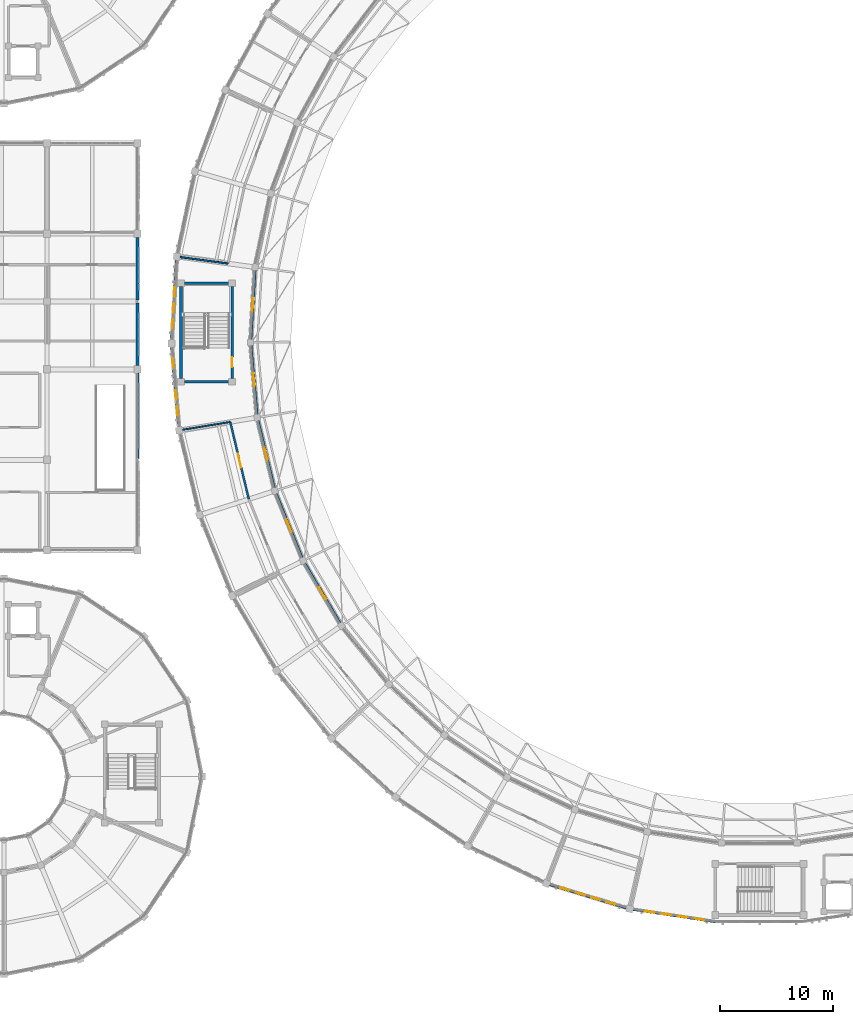
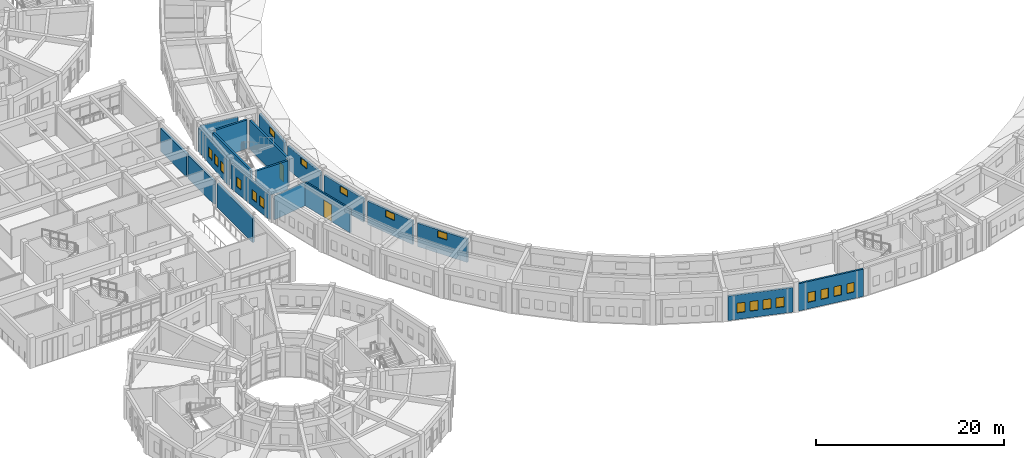
# One storey, part 79 of 112: 19 walls, 19 windows, 2 doors, 21 openings.
"""IFC4 building model written with IfcOpenShell, lengths in metres."""

from ifc_helpers import new_model, si_unit, direction, frame, frame_2d, origin, place, context, subcontext, project, spatial, rectangle, extrude, material, layer, layer_set, type_object, element, fill, save


model = new_model("IFC4")

# Units and contexts
model_context = context("Model", 3, precision=1e-05, world=origin(), true_north=direction((0.0, 1.0)))
body_context = subcontext(model_context, "Body", "Model", "MODEL_VIEW")
ifc_project = project(units=[si_unit("LENGTHUNIT", "METRE"), si_unit("AREAUNIT", "SQUARE_METRE"), si_unit("VOLUMEUNIT", "CUBIC_METRE"), si_unit("PLANEANGLEUNIT", "RADIAN"), si_unit("MASSUNIT", "GRAM", prefix="KILO")], contexts=[model_context])

# Site, building, storey
site_placement = place(None, origin())
site = spatial("IfcSite", under=ifc_project, at=site_placement, CompositionType="ELEMENT")
building_placement = place(site_placement, origin())
building = spatial("IfcBuilding", under=site, at=building_placement, Name="Celadon Cloister-Ring School", CompositionType="ELEMENT")
storey_placement = place(building_placement, frame((0.0, 0.0, 8.5)))
storey = spatial("IfcBuildingStorey", under=building, at=storey_placement, Name="L02", CompositionType="ELEMENT", Elevation=8.5)

# Walls
ifc_material_1 = material(Name="Rendered concrete blockwork", Category="masonry")
ifc_layer_1 = layer(ifc_material_1, 0.260009765625)
ifc_layer_set_1 = layer_set([ifc_layer_1], Name="Rendered concrete blockwork")
wall_type_1 = type_object("IfcWallType", Name="WT-EX2", PredefinedType="SOLIDWALL", material=ifc_layer_set_1)
for number, where, z_axis, x_axis, name in (
    (1, (32.0, 67.673095703125, 0.0), (0.0, 0.0, 1.0), (0.0, -1.0, 0.0), "Exterior Wall 0518"),
    (2, (32.0, 61.887939453125, 0.0), (0.0, 0.0, 1.0), (0.0, -1.0, 0.0), "Exterior Wall 0519"),
):
    element("IfcWall", number, at=place(storey_placement, frame(where, z_axis=z_axis, x_axis=x_axis)), inside=storey, type_object=wall_type_1, Name=name, PredefinedType="SOLIDWALL", context=body_context, shape_type="SweptSolid", body=[
        extrude(rectangle(XDim=5.56103515625, YDim=0.260009765625, at=frame_2d((2.780517578125, 0.0))), origin(), (0.0, 0.0, 1.0), 3.001953125),
    ])
wall_1_placement = place(storey_placement, frame((32.0, 55.673095703125, 0.0), z_axis=(0.0, 0.0, 1.0), x_axis=(0.0, -1.0, 0.0)))
element("IfcWall", 3, at=wall_1_placement, inside=storey, type_object=wall_type_1, Name="Exterior Wall 0520", PredefinedType="SOLIDWALL", context=body_context, shape_type="SweptSolid", body=[
    extrude(rectangle(XDim=7.56103515625, YDim=0.260009765625, at=frame_2d((3.780517578125, 0.0))), origin(), (0.0, 0.0, 1.0), 3.152099609375),
])

# Wall, opening, window
ifc_material_2 = material(Name="Rendered concrete blockwork", Category="masonry")
ifc_layer_2 = layer(ifc_material_2, 0.239990234375)
ifc_layer_set_2 = layer_set([ifc_layer_2], Name="Rendered concrete blockwork")
wall_type_2 = type_object("IfcWallType", Name="WT-EX3", PredefinedType="SOLIDWALL", material=ifc_layer_set_2)
wall_2_placement = place(storey_placement, frame((42.388916015625, 64.74609375, 0.0), z_axis=(0.0, 0.0, 1.0), x_axis=(-0.060382554207, -0.998175308825, 0.0)))
wall_2 = element("IfcWall", 4, at=wall_2_placement, inside=storey, type_object=wall_type_2, Name="Exterior Wall 0115", PredefinedType="SOLIDWALL", context=body_context, shape_type="SweptSolid", body=[
    extrude(rectangle(XDim=6.09326171875, YDim=0.239990234375, at=frame_2d((3.046630859375, 0.0))), origin(), (0.0, 0.0, 1.0), 3.050048828125),
])
opening_1_placement = place(wall_2_placement, frame((2.447021484375, 0.0, 2.050048828125)))
opening_1 = element("IfcOpeningElement", 5, at=opening_1_placement, cuts=wall_2, Name="Opening WN-49", PredefinedType="OPENING", context=body_context, shape_type="SweptSolid", body=[
    extrude(rectangle(XDim=1.199951171875, YDim=0.85009765625, at=frame_2d((0.60009765625, 0.425048828125))), frame((0.0, 0.1298828125, 0.0), z_axis=(0.0, -1.0, 0.0), x_axis=(1.0, 0.0, 0.0)), (0.0, 0.0, 1.0), 0.260009765625),
])
ifc_material_3 = material(Name="Tempered laminated insulating glass", Category="glass")
window_type_1 = type_object("IfcWindowType", Name="WN-49", PartitioningType="SINGLE_PANEL", PredefinedType="WINDOW", material=ifc_material_3)
window_1_placement = place(opening_1_placement, origin())
window_1 = element("IfcWindow", 6, at=window_1_placement, inside=storey, type_object=window_type_1, Name="Window 0306", OverallHeight=0.85009765625, OverallWidth=1.199951171875, PartitioningType="SINGLE_PANEL", PredefinedType="WINDOW", context=body_context, shape_type="SweptSolid", body=[
    extrude(rectangle(XDim=1.199951171875, YDim=0.85009765625, at=frame_2d((0.60009765625, 0.425048828125))), frame((0.0, 0.030029296875, 0.0), z_axis=(0.0, -1.0, 0.0), x_axis=(1.0, 0.0, 0.0)), (0.0, 0.0, 1.0), 0.06005859375),
])
fill(opening_1, window_1)

wall_3_placement = place(storey_placement, frame((42.029052734375, 58.092041015625, 0.0), z_axis=(0.0, 0.0, 1.0), x_axis=(0.087955791154, -0.996124379183, 0.0)))
wall_3 = element("IfcWall", 7, at=wall_3_placement, inside=storey, type_object=wall_type_2, Name="Exterior Wall 0117", PredefinedType="SOLIDWALL", context=body_context, shape_type="SweptSolid", body=[
    extrude(rectangle(XDim=6.0927734375, YDim=0.239990234375, at=frame_2d((3.04638671875, 0.0))), origin(), (0.0, 0.0, 1.0), 3.050048828125),
])
opening_2_placement = place(wall_3_placement, frame((2.446044921875, 0.0, 2.050048828125)))
opening_2 = element("IfcOpeningElement", 8, at=opening_2_placement, cuts=wall_3, Name="Opening WN-49", PredefinedType="OPENING", context=body_context, shape_type="SweptSolid", body=[
    extrude(rectangle(XDim=1.199951171875, YDim=0.85009765625, at=frame_2d((0.60009765625, 0.425048828125))), frame((0.0, 0.1298828125, 0.0), z_axis=(0.0, -1.0, 0.0), x_axis=(1.0, 0.0, 0.0)), (0.0, 0.0, 1.0), 0.260009765625),
])
window_2_placement = place(opening_2_placement, origin())
window_2 = element("IfcWindow", 9, at=window_2_placement, inside=storey, type_object=window_type_1, Name="Window 0310", OverallHeight=0.85009765625, OverallWidth=1.199951171875, PartitioningType="SINGLE_PANEL", PredefinedType="WINDOW", context=body_context, shape_type="SweptSolid", body=[
    extrude(rectangle(XDim=1.199951171875, YDim=0.85009765625, at=frame_2d((0.60009765625, 0.425048828125))), frame((0.0, 0.030029296875, 0.0), z_axis=(0.0, -1.0, 0.0), x_axis=(1.0, 0.0, 0.0)), (0.0, 0.0, 1.0), 0.06005859375),
])
fill(opening_2, window_2)

wall_4_placement = place(storey_placement, frame((42.656982421875, 51.4580078125, 0.0), z_axis=(0.0, 0.0, 1.0), x_axis=(0.234068568922, -0.972220090845, 0.0)))
wall_4 = element("IfcWall", 10, at=wall_4_placement, inside=storey, type_object=wall_type_2, Name="Exterior Wall 0119", PredefinedType="SOLIDWALL", context=body_context, shape_type="SweptSolid", body=[
    extrude(rectangle(XDim=6.09228515625, YDim=0.239990234375, at=frame_2d((3.046142578125, 0.0))), origin(), (0.0, 0.0, 1.0), 3.050048828125),
])
opening_3_placement = place(wall_4_placement, frame((2.446044921875, 0.0, 2.050048828125)))
opening_3 = element("IfcOpeningElement", 11, at=opening_3_placement, cuts=wall_4, Name="Opening WN-49", PredefinedType="OPENING", context=body_context, shape_type="SweptSolid", body=[
    extrude(rectangle(XDim=1.199951171875, YDim=0.85009765625, at=frame_2d((0.60009765625, 0.425048828125))), frame((0.0, 0.1298828125, 0.0), z_axis=(0.0, -1.0, 0.0), x_axis=(1.0, 0.0, 0.0)), (0.0, 0.0, 1.0), 0.260009765625),
])
window_3_placement = place(opening_3_placement, origin())
window_3 = element("IfcWindow", 12, at=window_3_placement, inside=storey, type_object=window_type_1, Name="Window 0315", OverallHeight=0.85009765625, OverallWidth=1.199951171875, PartitioningType="SINGLE_PANEL", PredefinedType="WINDOW", context=body_context, shape_type="SweptSolid", body=[
    extrude(rectangle(XDim=1.199951171875, YDim=0.85009765625, at=frame_2d((0.60009765625, 0.425048828125))), frame((0.0, 0.030029296875, 0.0), z_axis=(0.0, -1.0, 0.0), x_axis=(1.0, 0.0, 0.0)), (0.0, 0.0, 1.0), 0.06005859375),
])
fill(opening_3, window_3)

wall_5_placement = place(storey_placement, frame((44.258056640625, 44.989990234375, 0.0), z_axis=(0.0, 0.0, 1.0), x_axis=(0.375028796547, -0.92701316159, 0.0)))
wall_5 = element("IfcWall", 13, at=wall_5_placement, inside=storey, type_object=wall_type_2, Name="Exterior Wall 0121", PredefinedType="SOLIDWALL", context=body_context, shape_type="SweptSolid", body=[
    extrude(rectangle(XDim=6.092529296875, YDim=0.239990234375, at=frame_2d((3.04638671875, 0.0))), origin(), (0.0, 0.0, 1.0), 3.050048828125),
])
opening_4_placement = place(wall_5_placement, frame((2.446044921875, 0.0, 2.050048828125)))
opening_4 = element("IfcOpeningElement", 14, at=opening_4_placement, cuts=wall_5, Name="Opening WN-49", PredefinedType="OPENING", context=body_context, shape_type="SweptSolid", body=[
    extrude(rectangle(XDim=1.199951171875, YDim=0.85009765625, at=frame_2d((0.60009765625, 0.425048828125))), frame((0.0, 0.1298828125, 0.0), z_axis=(0.0, -1.0, 0.0), x_axis=(1.0, 0.0, 0.0)), (0.0, 0.0, 1.0), 0.260009765625),
])
window_4_placement = place(opening_4_placement, origin())
window_4 = element("IfcWindow", 15, at=window_4_placement, inside=storey, type_object=window_type_1, Name="Window 0320", OverallHeight=0.85009765625, OverallWidth=1.199951171875, PartitioningType="SINGLE_PANEL", PredefinedType="WINDOW", context=body_context, shape_type="SweptSolid", body=[
    extrude(rectangle(XDim=1.199951171875, YDim=0.85009765625, at=frame_2d((0.60009765625, 0.425048828125))), frame((0.0, 0.030029296875, 0.0), z_axis=(0.0, -1.0, 0.0), x_axis=(1.0, 0.0, 0.0)), (0.0, 0.0, 1.0), 0.06005859375),
])
fill(opening_4, window_4)

wall_6_placement = place(storey_placement, frame((46.797119140625, 38.8291015625, 0.0), z_axis=(0.0, 0.0, 1.0), x_axis=(0.50791108246, -0.861409503265, 0.0)))
wall_6 = element("IfcWall", 16, at=wall_6_placement, inside=storey, type_object=wall_type_2, Name="Exterior Wall 0123", PredefinedType="SOLIDWALL", context=body_context, shape_type="SweptSolid", body=[
    extrude(rectangle(XDim=6.093505859375, YDim=0.239990234375, at=frame_2d((3.046875, 0.0))), origin(), (0.0, 0.0, 1.0), 3.050048828125),
])
opening_5_placement = place(wall_6_placement, frame((2.447021484375, 0.0, 2.050048828125)))
opening_5 = element("IfcOpeningElement", 17, at=opening_5_placement, cuts=wall_6, Name="Opening WN-49", PredefinedType="OPENING", context=body_context, shape_type="SweptSolid", body=[
    extrude(rectangle(XDim=1.199951171875, YDim=0.85009765625, at=frame_2d((0.60009765625, 0.425048828125))), frame((0.0, 0.1298828125, 0.0), z_axis=(0.0, -1.0, 0.0), x_axis=(1.0, 0.0, 0.0)), (0.0, 0.0, 1.0), 0.260009765625),
])
window_5_placement = place(opening_5_placement, origin())
window_5 = element("IfcWindow", 18, at=window_5_placement, inside=storey, type_object=window_type_1, Name="Window 0325", OverallHeight=0.85009765625, OverallWidth=1.199951171875, PartitioningType="SINGLE_PANEL", PredefinedType="WINDOW", context=body_context, shape_type="SweptSolid", body=[
    extrude(rectangle(XDim=1.199951171875, YDim=0.85009765625, at=frame_2d((0.60009765625, 0.425048828125))), frame((0.0, 0.030029296875, 0.0), z_axis=(0.0, -1.0, 0.0), x_axis=(1.0, 0.0, 0.0)), (0.0, 0.0, 1.0), 0.06005859375),
])
fill(opening_5, window_5)

# Wall, openings, windows
ifc_material_4 = material(Name="Perforated terracotta clay brick masonry", Category="masonry")
ifc_layer_3 = layer(ifc_material_4, 0.219970703125)
ifc_layer_set_3 = layer_set([ifc_layer_3], Name="Perforated terracotta clay brick masonry")
wall_type_3 = type_object("IfcWallType", Name="WT-EX4", PredefinedType="SOLIDWALL", material=ifc_layer_set_3)
wall_7_placement = place(storey_placement, frame((35.02392578125, 58.591064453125, 0.0), z_axis=(0.0, 0.0, 1.0), x_axis=(0.060150575124, 0.998189314866, 0.0)))
wall_7 = element("IfcWall", 19, at=wall_7_placement, inside=storey, type_object=wall_type_3, Name="Exterior Wall 0114", PredefinedType="SOLIDWALL", context=body_context, shape_type="SweptSolid", body=[
    extrude(rectangle(XDim=7.082763671875, YDim=0.219970703125, at=frame_2d((3.54150390625, 0.0))), origin(), (0.0, 0.0, 1.0), 3.19189453125),
])
opening_6_placement = place(wall_7_placement, frame((0.991943359375, 0.0, 0.85009765625)))
opening_6 = element("IfcOpeningElement", 20, at=opening_6_placement, cuts=wall_7, Name="Opening WN-11", PredefinedType="OPENING", context=body_context, shape_type="SweptSolid", body=[
    extrude(rectangle(XDim=0.85009765625, YDim=1.25, at=frame_2d((0.425048828125, 0.625))), frame((0.0, 0.1201171875, 0.0), z_axis=(0.0, -1.0, 0.0), x_axis=(1.0, 0.0, 0.0)), (0.0, 0.0, 1.0), 0.239990234375),
])
opening_7_placement = place(wall_7_placement, frame((2.407958984375, 0.0, 0.85009765625)))
opening_7 = element("IfcOpeningElement", 21, at=opening_7_placement, cuts=wall_7, Name="Opening WN-11", PredefinedType="OPENING", context=body_context, shape_type="SweptSolid", body=[
    extrude(rectangle(XDim=0.85009765625, YDim=1.25, at=frame_2d((0.425048828125, 0.625))), frame((0.0, 0.1201171875, 0.0), z_axis=(0.0, -1.0, 0.0), x_axis=(1.0, 0.0, 0.0)), (0.0, 0.0, 1.0), 0.239990234375),
])
opening_8_placement = place(wall_7_placement, frame((3.824951171875, 0.0, 0.85009765625)))
opening_8 = element("IfcOpeningElement", 22, at=opening_8_placement, cuts=wall_7, Name="Opening WN-11", PredefinedType="OPENING", context=body_context, shape_type="SweptSolid", body=[
    extrude(rectangle(XDim=0.85009765625, YDim=1.25, at=frame_2d((0.425048828125, 0.625))), frame((0.0, 0.1201171875, 0.0), z_axis=(0.0, -1.0, 0.0), x_axis=(1.0, 0.0, 0.0)), (0.0, 0.0, 1.0), 0.239990234375),
])
ifc_material_5 = material(Name="Tempered laminated insulating glass", Category="glass")
window_type_2 = type_object("IfcWindowType", Name="WN-11", PartitioningType="SINGLE_PANEL", PredefinedType="WINDOW", material=ifc_material_5)
window_6_placement = place(opening_6_placement, origin())
window_6 = element("IfcWindow", 23, at=window_6_placement, inside=storey, type_object=window_type_2, Name="Window 0303", OverallHeight=1.25, OverallWidth=0.85009765625, PartitioningType="SINGLE_PANEL", PredefinedType="WINDOW", context=body_context, shape_type="SweptSolid", body=[
    extrude(rectangle(XDim=0.85009765625, YDim=1.25, at=frame_2d((0.425048828125, 0.625))), frame((0.0, 0.030029296875, 0.0), z_axis=(0.0, -1.0, 0.0), x_axis=(1.0, 0.0, 0.0)), (0.0, 0.0, 1.0), 0.06005859375),
])
fill(opening_6, window_6)
window_7_placement = place(opening_7_placement, origin())
window_7 = element("IfcWindow", 24, at=window_7_placement, inside=storey, type_object=window_type_2, Name="Window 0304", OverallHeight=1.25, OverallWidth=0.85009765625, PartitioningType="SINGLE_PANEL", PredefinedType="WINDOW", context=body_context, shape_type="SweptSolid", body=[
    extrude(rectangle(XDim=0.85009765625, YDim=1.25, at=frame_2d((0.425048828125, 0.625))), frame((0.0, 0.030029296875, 0.0), z_axis=(0.0, -1.0, 0.0), x_axis=(1.0, 0.0, 0.0)), (0.0, 0.0, 1.0), 0.06005859375),
])
fill(opening_7, window_7)
window_8_placement = place(opening_8_placement, origin())
window_8 = element("IfcWindow", 25, at=window_8_placement, inside=storey, type_object=window_type_2, Name="Window 0305", OverallHeight=1.25, OverallWidth=0.85009765625, PartitioningType="SINGLE_PANEL", PredefinedType="WINDOW", context=body_context, shape_type="SweptSolid", body=[
    extrude(rectangle(XDim=0.85009765625, YDim=1.25, at=frame_2d((0.425048828125, 0.625))), frame((0.0, 0.030029296875, 0.0), z_axis=(0.0, -1.0, 0.0), x_axis=(1.0, 0.0, 0.0)), (0.0, 0.0, 1.0), 0.06005859375),
])
fill(opening_8, window_8)

wall_8_placement = place(storey_placement, frame((35.655029296875, 50.9169921875, 0.0), z_axis=(0.0, 0.0, 1.0), x_axis=(-0.08798335938, 0.996121944579, 0.0)))
wall_8 = element("IfcWall", 26, at=wall_8_placement, inside=storey, type_object=wall_type_3, Name="Exterior Wall 0116", PredefinedType="SOLIDWALL", context=body_context, shape_type="SweptSolid", body=[
    extrude(rectangle(XDim=7.081298828125, YDim=0.219970703125, at=frame_2d((3.54052734375, 0.0))), origin(), (0.0, 0.0, 1.0), 3.19189453125),
])
opening_9_placement = place(wall_8_placement, frame((0.990966796875, 0.0, 0.85009765625)))
opening_9 = element("IfcOpeningElement", 27, at=opening_9_placement, cuts=wall_8, Name="Opening WN-11", PredefinedType="OPENING", context=body_context, shape_type="SweptSolid", body=[
    extrude(rectangle(XDim=0.85009765625, YDim=1.25, at=frame_2d((0.425048828125, 0.625))), frame((0.0, 0.1201171875, 0.0), z_axis=(0.0, -1.0, 0.0), x_axis=(1.0, 0.0, 0.0)), (0.0, 0.0, 1.0), 0.239990234375),
])
opening_10_placement = place(wall_8_placement, frame((2.407958984375, 0.0, 0.85009765625)))
opening_10 = element("IfcOpeningElement", 28, at=opening_10_placement, cuts=wall_8, Name="Opening WN-11", PredefinedType="OPENING", context=body_context, shape_type="SweptSolid", body=[
    extrude(rectangle(XDim=0.85009765625, YDim=1.25, at=frame_2d((0.425048828125, 0.625))), frame((0.0, 0.1201171875, 0.0), z_axis=(0.0, -1.0, 0.0), x_axis=(1.0, 0.0, 0.0)), (0.0, 0.0, 1.0), 0.239990234375),
])
opening_11_placement = place(wall_8_placement, frame((5.239990234375, 0.0, 0.85009765625)))
opening_11 = element("IfcOpeningElement", 29, at=opening_11_placement, cuts=wall_8, Name="Opening WN-11", PredefinedType="OPENING", context=body_context, shape_type="SweptSolid", body=[
    extrude(rectangle(XDim=0.85009765625, YDim=1.25, at=frame_2d((0.425048828125, 0.625))), frame((0.0, 0.1201171875, 0.0), z_axis=(0.0, -1.0, 0.0), x_axis=(1.0, 0.0, 0.0)), (0.0, 0.0, 1.0), 0.239990234375),
])
window_9_placement = place(opening_9_placement, origin())
window_9 = element("IfcWindow", 30, at=window_9_placement, inside=storey, type_object=window_type_2, Name="Window 0307", OverallHeight=1.25, OverallWidth=0.85009765625, PartitioningType="SINGLE_PANEL", PredefinedType="WINDOW", context=body_context, shape_type="SweptSolid", body=[
    extrude(rectangle(XDim=0.85009765625, YDim=1.25, at=frame_2d((0.425048828125, 0.625))), frame((0.0, 0.030029296875, 0.0), z_axis=(0.0, -1.0, 0.0), x_axis=(1.0, 0.0, 0.0)), (0.0, 0.0, 1.0), 0.06005859375),
])
fill(opening_9, window_9)
window_10_placement = place(opening_10_placement, origin())
window_10 = element("IfcWindow", 31, at=window_10_placement, inside=storey, type_object=window_type_2, Name="Window 0308", OverallHeight=1.25, OverallWidth=0.85009765625, PartitioningType="SINGLE_PANEL", PredefinedType="WINDOW", context=body_context, shape_type="SweptSolid", body=[
    extrude(rectangle(XDim=0.85009765625, YDim=1.25, at=frame_2d((0.425048828125, 0.625))), frame((0.0, 0.030029296875, 0.0), z_axis=(0.0, -1.0, 0.0), x_axis=(1.0, 0.0, 0.0)), (0.0, 0.0, 1.0), 0.06005859375),
])
fill(opening_10, window_10)
window_11_placement = place(opening_11_placement, origin())
window_11 = element("IfcWindow", 32, at=window_11_placement, inside=storey, type_object=window_type_2, Name="Window 0309", OverallHeight=1.25, OverallWidth=0.85009765625, PartitioningType="SINGLE_PANEL", PredefinedType="WINDOW", context=body_context, shape_type="SweptSolid", body=[
    extrude(rectangle(XDim=0.85009765625, YDim=1.25, at=frame_2d((0.425048828125, 0.625))), frame((0.0, 0.030029296875, 0.0), z_axis=(0.0, -1.0, 0.0), x_axis=(1.0, 0.0, 0.0)), (0.0, 0.0, 1.0), 0.06005859375),
])
fill(opening_11, window_11)

wall_9_placement = place(storey_placement, frame((75.23193359375, 8.3720703125, 0.0), z_axis=(0.0, 0.0, 1.0), x_axis=(-0.956377793717, 0.292132702183, 0.0)))
wall_9 = element("IfcWall", 33, at=wall_9_placement, inside=storey, type_object=wall_type_3, Name="Exterior Wall 0132", PredefinedType="SOLIDWALL", context=body_context, shape_type="SweptSolid", body=[
    extrude(rectangle(XDim=7.081787109375, YDim=0.219970703125, at=frame_2d((3.541015625, 0.0))), origin(), (0.0, 0.0, 1.0), 3.19189453125),
])
opening_12_placement = place(wall_9_placement, frame((0.990966796875, 0.0, 0.85009765625)))
opening_12 = element("IfcOpeningElement", 34, at=opening_12_placement, cuts=wall_9, Name="Opening WN-11", PredefinedType="OPENING", context=body_context, shape_type="SweptSolid", body=[
    extrude(rectangle(XDim=0.85009765625, YDim=1.25, at=frame_2d((0.425048828125, 0.625))), frame((0.0, 0.1201171875, 0.0), z_axis=(0.0, -1.0, 0.0), x_axis=(1.0, 0.0, 0.0)), (0.0, 0.0, 1.0), 0.239990234375),
])
opening_13_placement = place(wall_9_placement, frame((2.407958984375, 0.0, 0.85009765625)))
opening_13 = element("IfcOpeningElement", 35, at=opening_13_placement, cuts=wall_9, Name="Opening WN-11", PredefinedType="OPENING", context=body_context, shape_type="SweptSolid", body=[
    extrude(rectangle(XDim=0.85009765625, YDim=1.25, at=frame_2d((0.425048828125, 0.625))), frame((0.0, 0.1201171875, 0.0), z_axis=(0.0, -1.0, 0.0), x_axis=(1.0, 0.0, 0.0)), (0.0, 0.0, 1.0), 0.239990234375),
])
opening_14_placement = place(wall_9_placement, frame((3.823974609375, 0.0, 0.85009765625)))
opening_14 = element("IfcOpeningElement", 36, at=opening_14_placement, cuts=wall_9, Name="Opening WN-11", PredefinedType="OPENING", context=body_context, shape_type="SweptSolid", body=[
    extrude(rectangle(XDim=0.85009765625, YDim=1.25, at=frame_2d((0.425048828125, 0.625))), frame((0.0, 0.1201171875, 0.0), z_axis=(0.0, -1.0, 0.0), x_axis=(1.0, 0.0, 0.0)), (0.0, 0.0, 1.0), 0.239990234375),
])
opening_15_placement = place(wall_9_placement, frame((5.240966796875, 0.0, 0.85009765625)))
opening_15 = element("IfcOpeningElement", 37, at=opening_15_placement, cuts=wall_9, Name="Opening WN-11", PredefinedType="OPENING", context=body_context, shape_type="SweptSolid", body=[
    extrude(rectangle(XDim=0.85009765625, YDim=1.25, at=frame_2d((0.425048828125, 0.625))), frame((0.0, 0.1201171875, 0.0), z_axis=(0.0, -1.0, 0.0), x_axis=(1.0, 0.0, 0.0)), (0.0, 0.0, 1.0), 0.239990234375),
])
window_12_placement = place(opening_12_placement, origin())
window_12 = element("IfcWindow", 38, at=window_12_placement, inside=storey, type_object=window_type_2, Name="Window 0346", OverallHeight=1.25, OverallWidth=0.85009765625, PartitioningType="SINGLE_PANEL", PredefinedType="WINDOW", context=body_context, shape_type="SweptSolid", body=[
    extrude(rectangle(XDim=0.85009765625, YDim=1.25, at=frame_2d((0.425048828125, 0.625))), frame((0.0, 0.030029296875, 0.0), z_axis=(0.0, -1.0, 0.0), x_axis=(1.0, 0.0, 0.0)), (0.0, 0.0, 1.0), 0.06005859375),
])
fill(opening_12, window_12)
window_13_placement = place(opening_13_placement, origin())
window_13 = element("IfcWindow", 39, at=window_13_placement, inside=storey, type_object=window_type_2, Name="Window 0347", OverallHeight=1.25, OverallWidth=0.85009765625, PartitioningType="SINGLE_PANEL", PredefinedType="WINDOW", context=body_context, shape_type="SweptSolid", body=[
    extrude(rectangle(XDim=0.85009765625, YDim=1.25, at=frame_2d((0.425048828125, 0.625))), frame((0.0, 0.030029296875, 0.0), z_axis=(0.0, -1.0, 0.0), x_axis=(1.0, 0.0, 0.0)), (0.0, 0.0, 1.0), 0.06005859375),
])
fill(opening_13, window_13)
window_14_placement = place(opening_14_placement, origin())
window_14 = element("IfcWindow", 40, at=window_14_placement, inside=storey, type_object=window_type_2, Name="Window 0348", OverallHeight=1.25, OverallWidth=0.85009765625, PartitioningType="SINGLE_PANEL", PredefinedType="WINDOW", context=body_context, shape_type="SweptSolid", body=[
    extrude(rectangle(XDim=0.85009765625, YDim=1.25, at=frame_2d((0.425048828125, 0.625))), frame((0.0, 0.030029296875, 0.0), z_axis=(0.0, -1.0, 0.0), x_axis=(1.0, 0.0, 0.0)), (0.0, 0.0, 1.0), 0.06005859375),
])
fill(opening_14, window_14)
window_15_placement = place(opening_15_placement, origin())
window_15 = element("IfcWindow", 41, at=window_15_placement, inside=storey, type_object=window_type_2, Name="Window 0349", OverallHeight=1.25, OverallWidth=0.85009765625, PartitioningType="SINGLE_PANEL", PredefinedType="WINDOW", context=body_context, shape_type="SweptSolid", body=[
    extrude(rectangle(XDim=0.85009765625, YDim=1.25, at=frame_2d((0.425048828125, 0.625))), frame((0.0, 0.030029296875, 0.0), z_axis=(0.0, -1.0, 0.0), x_axis=(1.0, 0.0, 0.0)), (0.0, 0.0, 1.0), 0.06005859375),
])
fill(opening_15, window_15)

wall_10_placement = place(storey_placement, frame((83.14794921875, 7.14306640625, 0.0), z_axis=(0.0, 0.0, 1.0), x_axis=(-0.989027735747, 0.147729949309, 0.0)))
wall_10 = element("IfcWall", 42, at=wall_10_placement, inside=storey, type_object=wall_type_3, Name="Exterior Wall 0134", PredefinedType="SOLIDWALL", context=body_context, shape_type="SweptSolid", body=[
    extrude(rectangle(XDim=7.39208984375, YDim=0.219970703125, at=frame_2d((3.696044921875, 0.0))), origin(), (0.0, 0.0, 1.0), 3.550048828125),
])
opening_16_placement = place(wall_10_placement, frame((1.052978515625, 0.0, 0.85009765625)))
opening_16 = element("IfcOpeningElement", 43, at=opening_16_placement, cuts=wall_10, Name="Opening WN-11", PredefinedType="OPENING", context=body_context, shape_type="SweptSolid", body=[
    extrude(rectangle(XDim=0.85009765625, YDim=1.25, at=frame_2d((0.425048828125, 0.625))), frame((0.0, 0.1201171875, 0.0), z_axis=(0.0, -1.0, 0.0), x_axis=(1.0, 0.0, 0.0)), (0.0, 0.0, 1.0), 0.239990234375),
])
opening_17_placement = place(wall_10_placement, frame((2.531982421875, 0.0, 0.85009765625)))
opening_17 = element("IfcOpeningElement", 44, at=opening_17_placement, cuts=wall_10, Name="Opening WN-11", PredefinedType="OPENING", context=body_context, shape_type="SweptSolid", body=[
    extrude(rectangle(XDim=0.85009765625, YDim=1.25, at=frame_2d((0.425048828125, 0.625))), frame((0.0, 0.1201171875, 0.0), z_axis=(0.0, -1.0, 0.0), x_axis=(1.0, 0.0, 0.0)), (0.0, 0.0, 1.0), 0.239990234375),
])
opening_18_placement = place(wall_10_placement, frame((4.010009765625, 0.0, 0.85009765625)))
opening_18 = element("IfcOpeningElement", 45, at=opening_18_placement, cuts=wall_10, Name="Opening WN-11", PredefinedType="OPENING", context=body_context, shape_type="SweptSolid", body=[
    extrude(rectangle(XDim=0.85009765625, YDim=1.25, at=frame_2d((0.425048828125, 0.625))), frame((0.0, 0.1201171875, 0.0), z_axis=(0.0, -1.0, 0.0), x_axis=(1.0, 0.0, 0.0)), (0.0, 0.0, 1.0), 0.239990234375),
])
opening_19_placement = place(wall_10_placement, frame((5.489013671875, 0.0, 0.85009765625)))
opening_19 = element("IfcOpeningElement", 46, at=opening_19_placement, cuts=wall_10, Name="Opening WN-11", PredefinedType="OPENING", context=body_context, shape_type="SweptSolid", body=[
    extrude(rectangle(XDim=0.85009765625, YDim=1.25, at=frame_2d((0.425048828125, 0.625))), frame((0.0, 0.1201171875, 0.0), z_axis=(0.0, -1.0, 0.0), x_axis=(1.0, 0.0, 0.0)), (0.0, 0.0, 1.0), 0.239990234375),
])
window_16_placement = place(opening_16_placement, origin())
window_16 = element("IfcWindow", 47, at=window_16_placement, inside=storey, type_object=window_type_2, Name="Window 0351", OverallHeight=1.25, OverallWidth=0.85009765625, PartitioningType="SINGLE_PANEL", PredefinedType="WINDOW", context=body_context, shape_type="SweptSolid", body=[
    extrude(rectangle(XDim=0.85009765625, YDim=1.25, at=frame_2d((0.425048828125, 0.625))), frame((0.0, 0.030029296875, 0.0), z_axis=(0.0, -1.0, 0.0), x_axis=(1.0, 0.0, 0.0)), (0.0, 0.0, 1.0), 0.06005859375),
])
fill(opening_16, window_16)
window_17_placement = place(opening_17_placement, origin())
window_17 = element("IfcWindow", 48, at=window_17_placement, inside=storey, type_object=window_type_2, Name="Window 0352", OverallHeight=1.25, OverallWidth=0.85009765625, PartitioningType="SINGLE_PANEL", PredefinedType="WINDOW", context=body_context, shape_type="SweptSolid", body=[
    extrude(rectangle(XDim=0.85009765625, YDim=1.25, at=frame_2d((0.425048828125, 0.625))), frame((0.0, 0.030029296875, 0.0), z_axis=(0.0, -1.0, 0.0), x_axis=(1.0, 0.0, 0.0)), (0.0, 0.0, 1.0), 0.06005859375),
])
fill(opening_17, window_17)
window_18_placement = place(opening_18_placement, origin())
window_18 = element("IfcWindow", 49, at=window_18_placement, inside=storey, type_object=window_type_2, Name="Window 0353", OverallHeight=1.25, OverallWidth=0.85009765625, PartitioningType="SINGLE_PANEL", PredefinedType="WINDOW", context=body_context, shape_type="SweptSolid", body=[
    extrude(rectangle(XDim=0.85009765625, YDim=1.25, at=frame_2d((0.425048828125, 0.625))), frame((0.0, 0.030029296875, 0.0), z_axis=(0.0, -1.0, 0.0), x_axis=(1.0, 0.0, 0.0)), (0.0, 0.0, 1.0), 0.06005859375),
])
fill(opening_18, window_18)
window_19_placement = place(opening_19_placement, origin())
window_19 = element("IfcWindow", 50, at=window_19_placement, inside=storey, type_object=window_type_2, Name="Window 0354", OverallHeight=1.25, OverallWidth=0.85009765625, PartitioningType="SINGLE_PANEL", PredefinedType="WINDOW", context=body_context, shape_type="SweptSolid", body=[
    extrude(rectangle(XDim=0.85009765625, YDim=1.25, at=frame_2d((0.425048828125, 0.625))), frame((0.0, 0.030029296875, 0.0), z_axis=(0.0, -1.0, 0.0), x_axis=(1.0, 0.0, 0.0)), (0.0, 0.0, 1.0), 0.06005859375),
])
fill(opening_19, window_19)

# Wall, opening, door
ifc_material_6 = material(Name="Plastered hollow concrete masonry", Category="masonry")
ifc_layer_4 = layer(ifc_material_6, 0.179931640625)
ifc_layer_set_4 = layer_set([ifc_layer_4], Name="Plastered hollow concrete masonry")
wall_type_4 = type_object("IfcWallType", Name="WT-PT2", PredefinedType="PARTITIONING", material=ifc_layer_set_4)
wall_11_placement = place(storey_placement, frame((40.201904296875, 51.346923828125, 0.0), z_axis=(0.0, 0.0, 1.0), x_axis=(0.234030113745, -0.972229348385, 0.0)))
wall_11 = element("IfcWall", 51, at=wall_11_placement, inside=storey, type_object=wall_type_4, Name="Interior Wall 0568", PredefinedType="PARTITIONING", context=body_context, shape_type="SweptSolid", body=[
    extrude(rectangle(XDim=7.02490234375, YDim=0.179931640625, at=frame_2d((3.512451171875, 0.0))), origin(), (0.0, 0.0, 1.0), 3.092041015625),
])
opening_20_placement = place(wall_11_placement, frame((2.887939453125, 0.0, 0.0)))
opening_20 = element("IfcOpeningElement", 52, at=opening_20_placement, cuts=wall_11, Name="Opening D-0183", PredefinedType="OPENING", context=body_context, shape_type="SweptSolid", body=[
    extrude(rectangle(XDim=1.25, YDim=2.199951171875, at=frame_2d((0.625, 1.10009765625))), frame((0.0, 0.10009765625, 0.0), z_axis=(0.0, -1.0, 0.0), x_axis=(1.0, 0.0, 0.0)), (0.0, 0.0, 1.0), 0.199951171875),
])
ifc_material_7 = material(Name="Galvanised fire-rated hollow steel leaf", Category="steel")
door_type_1 = type_object("IfcDoorType", Name="DT-10", OperationType="NOTDEFINED", PredefinedType="DOOR", material=ifc_material_7)
door_1_placement = place(opening_20_placement, origin())
door_1 = element("IfcDoor", 53, at=door_1_placement, inside=storey, type_object=door_type_1, Name="Door D-0183", OperationType="SINGLE_SWING_LEFT", OverallHeight=2.199951171875, OverallWidth=1.25, PredefinedType="DOOR", context=body_context, shape_type="SweptSolid", body=[
    extrude(rectangle(XDim=1.25, YDim=2.199951171875, at=frame_2d((0.625, 1.10009765625))), frame((0.0, 0.02490234375, 0.0), z_axis=(0.0, -1.0, 0.0), x_axis=(1.0, 0.0, 0.0)), (0.0, 0.0, 1.0), 0.050048828125),
])
fill(opening_20, door_1)

# Walls
ifc_material_8 = material(Name="Acoustic mineral-wool drywall partition")
ifc_layer_5 = layer(ifc_material_8, 0.139892578125)
ifc_layer_set_5 = layer_set([ifc_layer_5], Name="Acoustic mineral-wool drywall partition")
wall_type_5 = type_object("IfcWallType", Name="WT-PT4", PredefinedType="PARTITIONING", material=ifc_layer_set_5)
wall_12_placement = place(storey_placement, frame((40.008056640625, 65.35693359375, 0.0), z_axis=(0.0, 0.0, 1.0), x_axis=(-0.990973022603, 0.134061435445, 0.0)))
element("IfcWall", 54, at=wall_12_placement, inside=storey, type_object=wall_type_5, Name="Interior Wall 0540", PredefinedType="PARTITIONING", context=body_context, shape_type="SweptSolid", body=[
    extrude(rectangle(XDim=4.288818359375, YDim=0.139892578125, at=frame_2d((2.14453125, 0.0))), origin(), (0.0, 0.0, 1.0), 3.092041015625),
])
ifc_material_9 = material(Name="Acoustic mineral-wool drywall partition")
ifc_layer_6 = layer(ifc_material_9, 0.1201171875)
ifc_layer_set_6 = layer_set([ifc_layer_6], Name="Acoustic mineral-wool drywall partition")
wall_type_6 = type_object("IfcWallType", Name="WT-PT5", PredefinedType="PARTITIONING", material=ifc_layer_set_6)
wall_13_placement = place(storey_placement, frame((40.201904296875, 51.346923828125, 0.0), z_axis=(0.0, 0.0, 1.0), x_axis=(-0.986860722003, -0.161573250781, 0.0)))
element("IfcWall", 55, at=wall_13_placement, inside=storey, type_object=wall_type_6, Name="Interior Wall 0541", PredefinedType="PARTITIONING", context=body_context, shape_type="SweptSolid", body=[
    extrude(rectangle(XDim=4.288330078125, YDim=0.1201171875, at=frame_2d((2.14404296875, 0.0))), origin(), (0.0, 0.0, 1.0), 3.092041015625),
])
ifc_material_10 = material(Name="Concrete C40/50", Category="concrete")
ifc_layer_7 = layer(ifc_material_10, 0.239990234375)
ifc_layer_set_7 = layer_set([ifc_layer_7], Name="Concrete C40/50")
wall_type_7 = type_object("IfcWallType", Name="WT-SH1", PredefinedType="SHEAR", material=ifc_layer_set_7)
wall_14_placement = place(storey_placement, frame((35.85009765625, 55.19189453125, 0.0), z_axis=(0.0, 0.0, 1.0), x_axis=(0.0, 1.0, 0.0)))
element("IfcWall", 56, at=wall_14_placement, inside=storey, type_object=wall_type_7, Name="Interior Wall 0185", PredefinedType="SHEAR", context=body_context, shape_type="SweptSolid", body=[
    extrude(rectangle(XDim=8.135986328125, YDim=0.239990234375, at=frame_2d((4.06787109375, 0.0))), origin(), (0.0, 0.0, 1.0), 3.739990234375),
])

# Wall, opening, door
wall_15_placement = place(storey_placement, frame((40.3701171875, 63.327880859375, 0.0), z_axis=(0.0, 0.0, 1.0), x_axis=(0.0, -1.0, 0.0)))
wall_15 = element("IfcWall", 57, at=wall_15_placement, inside=storey, type_object=wall_type_7, Name="Interior Wall 0186", PredefinedType="SHEAR", context=body_context, shape_type="SweptSolid", body=[
    extrude(rectangle(XDim=8.135986328125, YDim=0.239990234375, at=frame_2d((4.06787109375, 0.0))), origin(), (0.0, 0.0, 1.0), 3.739990234375),
])
opening_21_placement = place(wall_15_placement, frame((6.243896484375, 0.0, 0.0)))
opening_21 = element("IfcOpeningElement", 58, at=opening_21_placement, cuts=wall_15, Name="Opening D-0079", PredefinedType="OPENING", context=body_context, shape_type="SweptSolid", body=[
    extrude(rectangle(XDim=0.8798828125, YDim=2.10009765625, at=frame_2d((0.43994140625, 1.050048828125))), frame((0.0, 0.1298828125, 0.0), z_axis=(0.0, -1.0, 0.0), x_axis=(1.0, 0.0, 0.0)), (0.0, 0.0, 1.0), 0.260009765625),
])
ifc_material_11 = material(Name="Solid-core fire-rated hardwood leaf", Category="wood")
door_type_2 = type_object("IfcDoorType", Name="DT-01", OperationType="NOTDEFINED", PredefinedType="DOOR", material=ifc_material_11)
door_2_placement = place(opening_21_placement, origin())
door_2 = element("IfcDoor", 59, at=door_2_placement, inside=storey, type_object=door_type_2, Name="Door D-0079", OperationType="SINGLE_SWING_LEFT", OverallHeight=2.10009765625, OverallWidth=0.8798828125, PredefinedType="DOOR", context=body_context, shape_type="SweptSolid", body=[
    extrude(rectangle(XDim=0.8798828125, YDim=2.10009765625, at=frame_2d((0.43994140625, 1.050048828125))), frame((0.0, 0.02490234375, 0.0), z_axis=(0.0, -1.0, 0.0), x_axis=(1.0, 0.0, 0.0)), (0.0, 0.0, 1.0), 0.050048828125),
])
fill(opening_21, door_2)

# Walls
for number, where, z_axis, x_axis, name in (
    (60, (40.077880859375, 54.89990234375, 0.0), (0.0, 0.0, 1.0), (-1.0, 0.0, 0.0), "Interior Wall 0187"),
    (61, (40.077880859375, 63.6201171875, 0.0), (0.0, 0.0, 1.0), (-1.0, 0.0, 0.0), "Interior Wall 0188"),
):
    element("IfcWall", number, at=place(storey_placement, frame(where, z_axis=z_axis, x_axis=x_axis)), inside=storey, type_object=wall_type_7, Name=name, PredefinedType="SHEAR", context=body_context, shape_type="SweptSolid", body=[
        extrude(rectangle(XDim=3.935791015625, YDim=0.239990234375, at=frame_2d((1.9677734375, 0.0))), origin(), (0.0, 0.0, 1.0), 3.739990234375),
    ])

save(model, "model.ifc")
